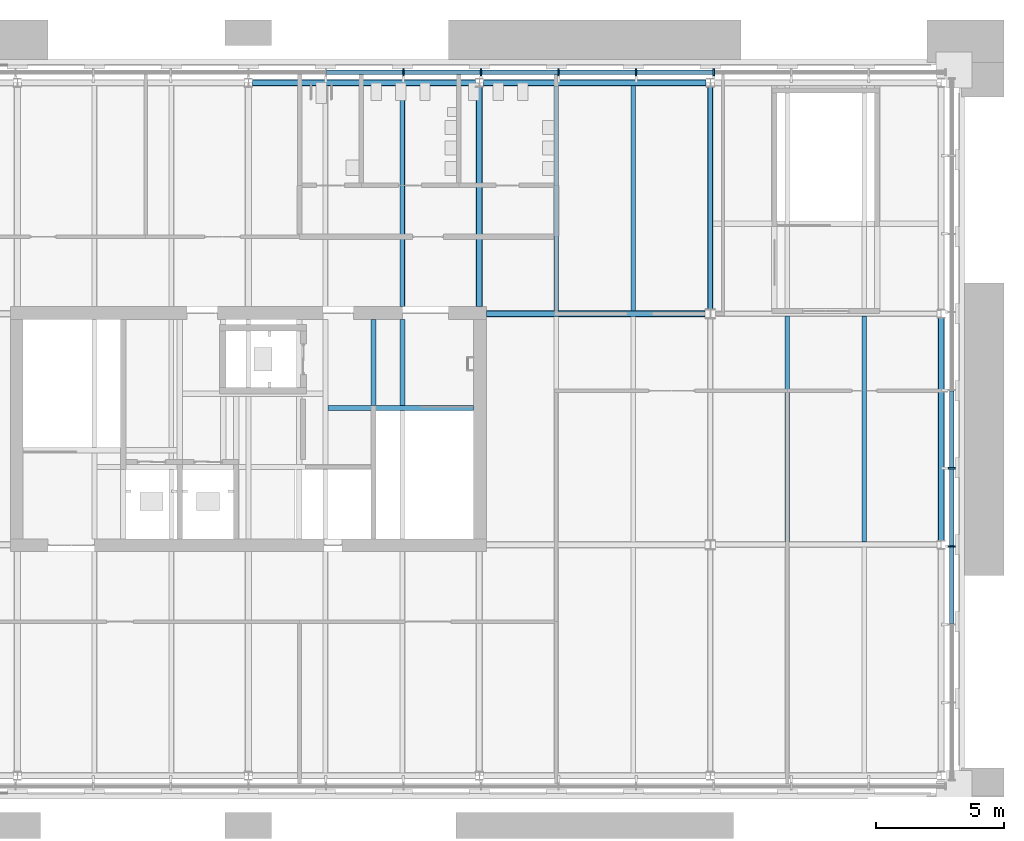
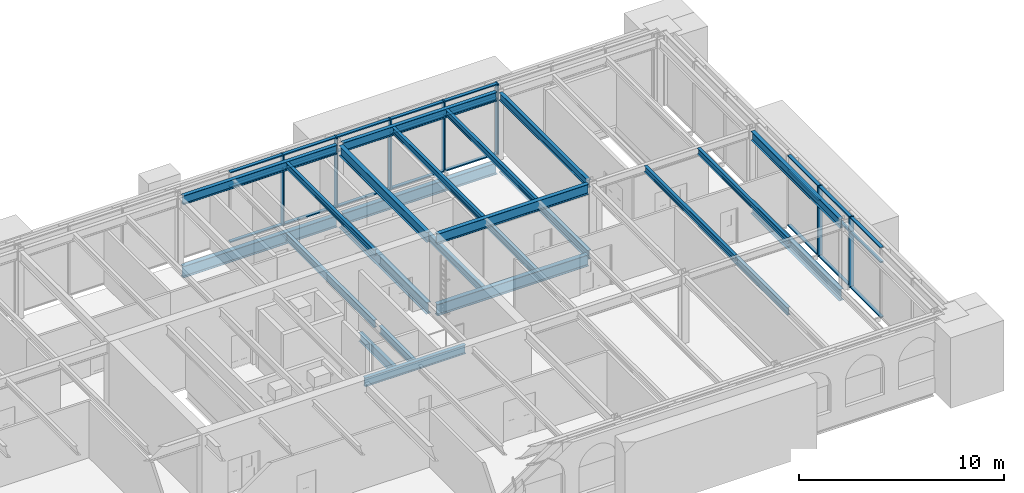
# One storey, part 8 of 24: 31 members, 24 beams, 2 elements without a shape of their own.
"""IFC4 building model written with IfcOpenShell, lengths in metres."""

from ifc_helpers import new_model, si_unit, direction, frame, origin, origin_2d, place, context, subcontext, project, spatial, rectangle, i_section, extrude, material, material_profile, profile_set, type_object, element, aggregate, save


model = new_model("IFC4")

# Units and contexts
model_context = context("Model", 3, precision=1e-05, world=origin(), true_north=direction((0.0, 1.0)))
body_context = subcontext(model_context, "Body", "Model", "MODEL_VIEW")
ifc_project = project(units=[si_unit("LENGTHUNIT", "METRE"), si_unit("AREAUNIT", "SQUARE_METRE"), si_unit("VOLUMEUNIT", "CUBIC_METRE"), si_unit("PLANEANGLEUNIT", "RADIAN"), si_unit("MASSUNIT", "GRAM", prefix="KILO")], contexts=[model_context])

# Site, building, storey
site_placement = place(None, origin())
site = spatial("IfcSite", under=ifc_project, at=site_placement, CompositionType="ELEMENT")
building_placement = place(site_placement, origin())
building = spatial("IfcBuilding", under=site, at=building_placement, Name="Baradari Gate Terminus", CompositionType="ELEMENT")
storey_placement = place(building_placement, frame((0.0, 0.0, 32.699951171875)))
storey = spatial("IfcBuildingStorey", under=building, at=storey_placement, Name="L07", CompositionType="ELEMENT", Elevation=32.699951171875)

# Beams
ifc_material_1 = material(Name="Steel S355", Category="steel")
ifc_material_profile_1 = material_profile(ifc_material_1, i_section(OverallWidth=0.19140625, OverallDepth=0.4599609375, WebThickness=0.010009765625, FlangeThickness=0.01611328125, FilletRadius=0.01025390625, at=origin_2d()), Name="UB 457x191x82")
ifc_profile_set_1 = profile_set([ifc_material_profile_1], Name="Steel S355")
beam_type_1 = type_object("IfcBeamType", Name="Core floor beam B23 UB 457x191x82", PredefinedType="BEAM", material=ifc_profile_set_1)
beam_1_placement = place(storey_placement, frame((42.0, 131.4296875, -0.35986328125), z_axis=(0.0, 1.0, 0.0), x_axis=(-1.0, 0.0, 0.0)))
element("IfcBeam", 1, at=beam_1_placement, inside=storey, type_object=beam_type_1, Name="Core floor beam B23 42:131.43-134.775 L07", PredefinedType="BEAM", context=body_context, shape_type="SweptSolid", body=[
    extrude(i_section(OverallWidth=0.19140625, OverallDepth=0.4599609375, WebThickness=0.010009765625, FlangeThickness=0.01611328125, FilletRadius=0.01025390625, at=origin_2d()), origin(), (0.0, 0.0, 1.0), 3.34521484375),
])
ifc_material_2 = material(Name="Steel S355", Category="steel")
ifc_material_profile_2 = material_profile(ifc_material_2, i_section(OverallWidth=0.209228515625, OverallDepth=0.533203125, WebThickness=0.010009765625, FlangeThickness=0.015625, FilletRadius=0.0126953125, at=origin_2d()), Name="UB 533x210x92")
ifc_profile_set_2 = profile_set([ifc_material_profile_2], Name="Steel S355")
beam_type_2 = type_object("IfcBeamType", Name="Core floor trimmer beam B22 UB 533x210x92", PredefinedType="BEAM", material=ifc_profile_set_2)
beam_2_placement = place(storey_placement, frame((39.095703125, 131.324951171875, -0.396484375), z_axis=(1.0, 0.0, 0.0), x_axis=(0.0, 1.0, 0.0)))
element("IfcBeam", 2, at=beam_2_placement, inside=storey, type_object=beam_type_2, Name="Core floor trimmer beam B22 131.325:39.096-44.775 L07", PredefinedType="BEAM", context=body_context, shape_type="SweptSolid", body=[
    extrude(i_section(OverallWidth=0.209228515625, OverallDepth=0.533203125, WebThickness=0.010009765625, FlangeThickness=0.015625, FilletRadius=0.0126953125, at=origin_2d()), origin(), (0.0, 0.0, 1.0), 5.67919921875),
])
beam_3_placement = place(storey_placement, frame((40.875, 131.4296875, -0.396484375), z_axis=(0.0, 1.0, 0.0), x_axis=(-1.0, 0.0, 0.0)))
element("IfcBeam", 3, at=beam_3_placement, inside=storey, type_object=beam_type_2, Name="Core floor trimmer beam B22 40.875:131.43-134.775 L07", PredefinedType="BEAM", context=body_context, shape_type="SweptSolid", body=[
    extrude(i_section(OverallWidth=0.209228515625, OverallDepth=0.533203125, WebThickness=0.010009765625, FlangeThickness=0.015625, FilletRadius=0.0126953125, at=origin_2d()), origin(), (0.0, 0.0, 1.0), 3.34521484375),
])

# Curtain wall, members
ifc_material_3 = material(Name="Aluminium 6063-T6", Category="aluminium")
curtain_wall_type = type_object("IfcCurtainWallType", Name="Curtain wall CW-12 block arcade floors, L06-L07", PredefinedType="NOTDEFINED", material=ifc_material_3)
curtain_wall_1_placement = place(storey_placement, origin())
curtain_wall_1 = element("IfcCurtainWall", 4, at=curtain_wall_1_placement, inside=storey, type_object=curtain_wall_type, Name="Curtain wall CW-12 Operations block E face L07", PredefinedType="NOTDEFINED")
ifc_material_4 = material(Name="Aluminium 6063-T6", Category="aluminium")
ifc_material_profile_3 = material_profile(ifc_material_4, rectangle(XDim=0.27490234375, YDim=0.06494140625, at=origin_2d()), Name="CM-12 65X275")
ifc_profile_set_3 = profile_set([ifc_material_profile_3], Name="Aluminium 6063-T6")
member_type_1 = type_object("IfcMemberType", Name="Curtain wall mullion CM-12 65x275", PredefinedType="MULLION", material=ifc_profile_set_3)
member_1_placement = place(storey_placement, frame((63.407470703125, 125.933349609375, 0.0), z_axis=(0.0, 0.0, 1.0), x_axis=(-1.0, 0.0, 0.0)))
member_1 = element("IfcMember", 5, at=member_1_placement, type_object=member_type_1, Name="CW-12 mullion 4", PredefinedType="MULLION", context=body_context, shape_type="SweptSolid", body=[
    extrude(rectangle(XDim=0.27490234375, YDim=0.06494140625, at=origin_2d()), origin(), (0.0, 0.0, 1.0), 4.199951171875),
])
member_2_placement = place(storey_placement, frame((63.407470703125, 128.977783203125, 0.0), z_axis=(0.0, 0.0, 1.0), x_axis=(-1.0, 0.0, 0.0)))
member_2 = element("IfcMember", 6, at=member_2_placement, type_object=member_type_1, Name="CW-12 mullion 5", PredefinedType="MULLION", context=body_context, shape_type="SweptSolid", body=[
    extrude(rectangle(XDim=0.27490234375, YDim=0.06494140625, at=origin_2d()), origin(), (0.0, 0.0, 1.0), 4.199951171875),
])

curtain_wall_2_placement = place(storey_placement, origin())
curtain_wall_2 = element("IfcCurtainWall", 7, at=curtain_wall_2_placement, inside=storey, type_object=curtain_wall_type, Name="Curtain wall CW-12 Operations block N face L07", PredefinedType="NOTDEFINED")
member_3_placement = place(storey_placement, frame((54.13330078125, 144.407470703125, 0.0), z_axis=(0.0, 0.0, 1.0), x_axis=(0.0, -1.0, 0.0)))
member_3 = element("IfcMember", 8, at=member_3_placement, type_object=member_type_1, Name="CW-12 mullion 4", PredefinedType="MULLION", context=body_context, shape_type="SweptSolid", body=[
    extrude(rectangle(XDim=0.27490234375, YDim=0.06494140625, at=origin_2d()), origin(), (0.0, 0.0, 1.0), 4.199951171875),
])
member_4_placement = place(storey_placement, frame((51.111083984375, 144.407470703125, 0.0), z_axis=(0.0, 0.0, 1.0), x_axis=(0.0, -1.0, 0.0)))
member_4 = element("IfcMember", 9, at=member_4_placement, type_object=member_type_1, Name="CW-12 mullion 5", PredefinedType="MULLION", context=body_context, shape_type="SweptSolid", body=[
    extrude(rectangle(XDim=0.27490234375, YDim=0.06494140625, at=origin_2d()), origin(), (0.0, 0.0, 1.0), 4.199951171875),
])
member_5_placement = place(storey_placement, frame((48.0888671875, 144.407470703125, 0.0), z_axis=(0.0, 0.0, 1.0), x_axis=(0.0, -1.0, 0.0)))
member_5 = element("IfcMember", 10, at=member_5_placement, type_object=member_type_1, Name="CW-12 mullion 6", PredefinedType="MULLION", context=body_context, shape_type="SweptSolid", body=[
    extrude(rectangle(XDim=0.27490234375, YDim=0.06494140625, at=origin_2d()), origin(), (0.0, 0.0, 1.0), 4.199951171875),
])
member_6_placement = place(storey_placement, frame((45.066650390625, 144.407470703125, 0.0), z_axis=(0.0, 0.0, 1.0), x_axis=(0.0, -1.0, 0.0)))
member_6 = element("IfcMember", 11, at=member_6_placement, type_object=member_type_1, Name="CW-12 mullion 7", PredefinedType="MULLION", context=body_context, shape_type="SweptSolid", body=[
    extrude(rectangle(XDim=0.27490234375, YDim=0.06494140625, at=origin_2d()), origin(), (0.0, 0.0, 1.0), 4.199951171875),
])
member_7_placement = place(storey_placement, frame((42.04443359375, 144.407470703125, 0.0), z_axis=(0.0, 0.0, 1.0), x_axis=(0.0, -1.0, 0.0)))
member_7 = element("IfcMember", 12, at=member_7_placement, type_object=member_type_1, Name="CW-12 mullion 8", PredefinedType="MULLION", context=body_context, shape_type="SweptSolid", body=[
    extrude(rectangle(XDim=0.27490234375, YDim=0.06494140625, at=origin_2d()), origin(), (0.0, 0.0, 1.0), 4.199951171875),
])

# Member
ifc_material_5 = material(Name="Aluminium 6063-T6", Category="aluminium")
ifc_material_profile_4 = material_profile(ifc_material_5, rectangle(XDim=0.18505859375, YDim=0.06494140625, at=origin_2d()), Name="CT-12 65X185")
ifc_profile_set_4 = profile_set([ifc_material_profile_4], Name="Aluminium 6063-T6")
member_type_2 = type_object("IfcMemberType", Name="Curtain wall transom CT-12 65x185", PredefinedType="USERDEFINED", material=ifc_profile_set_4)
member_8_placement = place(storey_placement, frame((63.407470703125, 122.92138671875, 0.032470703125), z_axis=(0.0, 1.0, 0.0), x_axis=(-1.0, 0.0, 0.0)))
member_8 = element("IfcMember", 13, at=member_8_placement, type_object=member_type_2, Name="CW-12 transom 3.1", ObjectType="TRANSOM", PredefinedType="USERDEFINED", context=body_context, shape_type="SweptSolid", body=[
    extrude(rectangle(XDim=0.18505859375, YDim=0.06494140625, at=origin_2d()), origin(), (0.0, 0.0, 1.0), 2.9794921875),
])

member_9_placement = place(storey_placement, frame((63.407470703125, 122.92138671875, 3.300048828125), z_axis=(0.0, 1.0, 0.0), x_axis=(-1.0, 0.0, 0.0)))
member_9 = element("IfcMember", 14, at=member_9_placement, type_object=member_type_2, Name="CW-12 transom 3.2", ObjectType="TRANSOM", PredefinedType="USERDEFINED", context=body_context, shape_type="SweptSolid", body=[
    extrude(rectangle(XDim=0.18505859375, YDim=0.06494140625, at=origin_2d()), origin(), (0.0, 0.0, 1.0), 2.9794921875),
])

member_10_placement = place(storey_placement, frame((63.407470703125, 122.92138671875, 4.16748046875), z_axis=(0.0, 1.0, 0.0), x_axis=(-1.0, 0.0, 0.0)))
member_10 = element("IfcMember", 15, at=member_10_placement, type_object=member_type_2, Name="CW-12 transom 3.3", ObjectType="TRANSOM", PredefinedType="USERDEFINED", context=body_context, shape_type="SweptSolid", body=[
    extrude(rectangle(XDim=0.18505859375, YDim=0.06494140625, at=origin_2d()), origin(), (0.0, 0.0, 1.0), 2.9794921875),
])

member_11_placement = place(storey_placement, frame((63.407470703125, 125.9658203125, 0.032470703125), z_axis=(0.0, 1.0, 0.0), x_axis=(-1.0, 0.0, 0.0)))
member_11 = element("IfcMember", 16, at=member_11_placement, type_object=member_type_2, Name="CW-12 transom 4.1", ObjectType="TRANSOM", PredefinedType="USERDEFINED", context=body_context, shape_type="SweptSolid", body=[
    extrude(rectangle(XDim=0.18505859375, YDim=0.06494140625, at=origin_2d()), origin(), (0.0, 0.0, 1.0), 2.9794921875),
])

member_12_placement = place(storey_placement, frame((63.407470703125, 125.9658203125, 3.300048828125), z_axis=(0.0, 1.0, 0.0), x_axis=(-1.0, 0.0, 0.0)))
member_12 = element("IfcMember", 17, at=member_12_placement, type_object=member_type_2, Name="CW-12 transom 4.2", ObjectType="TRANSOM", PredefinedType="USERDEFINED", context=body_context, shape_type="SweptSolid", body=[
    extrude(rectangle(XDim=0.18505859375, YDim=0.06494140625, at=origin_2d()), origin(), (0.0, 0.0, 1.0), 2.9794921875),
])

member_13_placement = place(storey_placement, frame((63.407470703125, 125.9658203125, 4.16748046875), z_axis=(0.0, 1.0, 0.0), x_axis=(-1.0, 0.0, 0.0)))
member_13 = element("IfcMember", 18, at=member_13_placement, type_object=member_type_2, Name="CW-12 transom 4.3", ObjectType="TRANSOM", PredefinedType="USERDEFINED", context=body_context, shape_type="SweptSolid", body=[
    extrude(rectangle(XDim=0.18505859375, YDim=0.06494140625, at=origin_2d()), origin(), (0.0, 0.0, 1.0), 2.9794921875),
])

member_14_placement = place(storey_placement, frame((63.407470703125, 129.01025390625, 0.032470703125), z_axis=(0.0, 1.0, 0.0), x_axis=(-1.0, 0.0, 0.0)))
member_14 = element("IfcMember", 19, at=member_14_placement, type_object=member_type_2, Name="CW-12 transom 5.1", ObjectType="TRANSOM", PredefinedType="USERDEFINED", context=body_context, shape_type="SweptSolid", body=[
    extrude(rectangle(XDim=0.18505859375, YDim=0.06494140625, at=origin_2d()), origin(), (0.0, 0.0, 1.0), 2.9794921875),
])

member_15_placement = place(storey_placement, frame((63.407470703125, 129.01025390625, 3.300048828125), z_axis=(0.0, 1.0, 0.0), x_axis=(-1.0, 0.0, 0.0)))
member_15 = element("IfcMember", 20, at=member_15_placement, type_object=member_type_2, Name="CW-12 transom 5.2", ObjectType="TRANSOM", PredefinedType="USERDEFINED", context=body_context, shape_type="SweptSolid", body=[
    extrude(rectangle(XDim=0.18505859375, YDim=0.06494140625, at=origin_2d()), origin(), (0.0, 0.0, 1.0), 2.9794921875),
])

member_16_placement = place(storey_placement, frame((63.407470703125, 129.01025390625, 4.16748046875), z_axis=(0.0, 1.0, 0.0), x_axis=(-1.0, 0.0, 0.0)))
member_16 = element("IfcMember", 21, at=member_16_placement, type_object=member_type_2, Name="CW-12 transom 5.3", ObjectType="TRANSOM", PredefinedType="USERDEFINED", context=body_context, shape_type="SweptSolid", body=[
    extrude(rectangle(XDim=0.18505859375, YDim=0.06494140625, at=origin_2d()), origin(), (0.0, 0.0, 1.0), 2.9794921875),
])

aggregate(curtain_wall_1, [member_1, member_2, member_8, member_9, member_10, member_11, member_12, member_13, member_14, member_15, member_16])

member_17_placement = place(storey_placement, frame((54.100830078125, 144.407470703125, 0.032470703125), z_axis=(-1.0, 0.0, 0.0), x_axis=(0.0, -1.0, 0.0)))
member_17 = element("IfcMember", 22, at=member_17_placement, type_object=member_type_2, Name="CW-12 transom 4.1", ObjectType="TRANSOM", PredefinedType="USERDEFINED", context=body_context, shape_type="SweptSolid", body=[
    extrude(rectangle(XDim=0.18505859375, YDim=0.06494140625, at=origin_2d()), origin(), (0.0, 0.0, 1.0), 2.957275390625),
])

member_18_placement = place(storey_placement, frame((54.100830078125, 144.407470703125, 3.300048828125), z_axis=(-1.0, 0.0, 0.0), x_axis=(0.0, -1.0, 0.0)))
member_18 = element("IfcMember", 23, at=member_18_placement, type_object=member_type_2, Name="CW-12 transom 4.2", ObjectType="TRANSOM", PredefinedType="USERDEFINED", context=body_context, shape_type="SweptSolid", body=[
    extrude(rectangle(XDim=0.18505859375, YDim=0.06494140625, at=origin_2d()), origin(), (0.0, 0.0, 1.0), 2.957275390625),
])

member_19_placement = place(storey_placement, frame((54.100830078125, 144.407470703125, 4.16748046875), z_axis=(-1.0, 0.0, 0.0), x_axis=(0.0, -1.0, 0.0)))
member_19 = element("IfcMember", 24, at=member_19_placement, type_object=member_type_2, Name="CW-12 transom 4.3", ObjectType="TRANSOM", PredefinedType="USERDEFINED", context=body_context, shape_type="SweptSolid", body=[
    extrude(rectangle(XDim=0.18505859375, YDim=0.06494140625, at=origin_2d()), origin(), (0.0, 0.0, 1.0), 2.957275390625),
])

member_20_placement = place(storey_placement, frame((51.07861328125, 144.407470703125, 0.032470703125), z_axis=(-1.0, 0.0, 0.0), x_axis=(0.0, -1.0, 0.0)))
member_20 = element("IfcMember", 25, at=member_20_placement, type_object=member_type_2, Name="CW-12 transom 5.1", ObjectType="TRANSOM", PredefinedType="USERDEFINED", context=body_context, shape_type="SweptSolid", body=[
    extrude(rectangle(XDim=0.18505859375, YDim=0.06494140625, at=origin_2d()), origin(), (0.0, 0.0, 1.0), 2.957275390625),
])

member_21_placement = place(storey_placement, frame((51.07861328125, 144.407470703125, 3.300048828125), z_axis=(-1.0, 0.0, 0.0), x_axis=(0.0, -1.0, 0.0)))
member_21 = element("IfcMember", 26, at=member_21_placement, type_object=member_type_2, Name="CW-12 transom 5.2", ObjectType="TRANSOM", PredefinedType="USERDEFINED", context=body_context, shape_type="SweptSolid", body=[
    extrude(rectangle(XDim=0.18505859375, YDim=0.06494140625, at=origin_2d()), origin(), (0.0, 0.0, 1.0), 2.957275390625),
])

member_22_placement = place(storey_placement, frame((51.07861328125, 144.407470703125, 4.16748046875), z_axis=(-1.0, 0.0, 0.0), x_axis=(0.0, -1.0, 0.0)))
member_22 = element("IfcMember", 27, at=member_22_placement, type_object=member_type_2, Name="CW-12 transom 5.3", ObjectType="TRANSOM", PredefinedType="USERDEFINED", context=body_context, shape_type="SweptSolid", body=[
    extrude(rectangle(XDim=0.18505859375, YDim=0.06494140625, at=origin_2d()), origin(), (0.0, 0.0, 1.0), 2.957275390625),
])

member_23_placement = place(storey_placement, frame((48.056396484375, 144.407470703125, 0.032470703125), z_axis=(-1.0, 0.0, 0.0), x_axis=(0.0, -1.0, 0.0)))
member_23 = element("IfcMember", 28, at=member_23_placement, type_object=member_type_2, Name="CW-12 transom 6.1", ObjectType="TRANSOM", PredefinedType="USERDEFINED", context=body_context, shape_type="SweptSolid", body=[
    extrude(rectangle(XDim=0.18505859375, YDim=0.06494140625, at=origin_2d()), origin(), (0.0, 0.0, 1.0), 2.957275390625),
])

member_24_placement = place(storey_placement, frame((48.056396484375, 144.407470703125, 3.300048828125), z_axis=(-1.0, 0.0, 0.0), x_axis=(0.0, -1.0, 0.0)))
member_24 = element("IfcMember", 29, at=member_24_placement, type_object=member_type_2, Name="CW-12 transom 6.2", ObjectType="TRANSOM", PredefinedType="USERDEFINED", context=body_context, shape_type="SweptSolid", body=[
    extrude(rectangle(XDim=0.18505859375, YDim=0.06494140625, at=origin_2d()), origin(), (0.0, 0.0, 1.0), 2.957275390625),
])

member_25_placement = place(storey_placement, frame((48.056396484375, 144.407470703125, 4.16748046875), z_axis=(-1.0, 0.0, 0.0), x_axis=(0.0, -1.0, 0.0)))
member_25 = element("IfcMember", 30, at=member_25_placement, type_object=member_type_2, Name="CW-12 transom 6.3", ObjectType="TRANSOM", PredefinedType="USERDEFINED", context=body_context, shape_type="SweptSolid", body=[
    extrude(rectangle(XDim=0.18505859375, YDim=0.06494140625, at=origin_2d()), origin(), (0.0, 0.0, 1.0), 2.957275390625),
])

member_26_placement = place(storey_placement, frame((45.0341796875, 144.407470703125, 0.032470703125), z_axis=(-1.0, 0.0, 0.0), x_axis=(0.0, -1.0, 0.0)))
member_26 = element("IfcMember", 31, at=member_26_placement, type_object=member_type_2, Name="CW-12 transom 7.1", ObjectType="TRANSOM", PredefinedType="USERDEFINED", context=body_context, shape_type="SweptSolid", body=[
    extrude(rectangle(XDim=0.18505859375, YDim=0.06494140625, at=origin_2d()), origin(), (0.0, 0.0, 1.0), 2.957275390625),
])

member_27_placement = place(storey_placement, frame((45.0341796875, 144.407470703125, 3.300048828125), z_axis=(-1.0, 0.0, 0.0), x_axis=(0.0, -1.0, 0.0)))
member_27 = element("IfcMember", 32, at=member_27_placement, type_object=member_type_2, Name="CW-12 transom 7.2", ObjectType="TRANSOM", PredefinedType="USERDEFINED", context=body_context, shape_type="SweptSolid", body=[
    extrude(rectangle(XDim=0.18505859375, YDim=0.06494140625, at=origin_2d()), origin(), (0.0, 0.0, 1.0), 2.957275390625),
])

member_28_placement = place(storey_placement, frame((45.0341796875, 144.407470703125, 4.16748046875), z_axis=(-1.0, 0.0, 0.0), x_axis=(0.0, -1.0, 0.0)))
member_28 = element("IfcMember", 33, at=member_28_placement, type_object=member_type_2, Name="CW-12 transom 7.3", ObjectType="TRANSOM", PredefinedType="USERDEFINED", context=body_context, shape_type="SweptSolid", body=[
    extrude(rectangle(XDim=0.18505859375, YDim=0.06494140625, at=origin_2d()), origin(), (0.0, 0.0, 1.0), 2.957275390625),
])

member_29_placement = place(storey_placement, frame((42.011962890625, 144.407470703125, 0.032470703125), z_axis=(-1.0, 0.0, 0.0), x_axis=(0.0, -1.0, 0.0)))
member_29 = element("IfcMember", 34, at=member_29_placement, type_object=member_type_2, Name="CW-12 transom 8.1", ObjectType="TRANSOM", PredefinedType="USERDEFINED", context=body_context, shape_type="SweptSolid", body=[
    extrude(rectangle(XDim=0.18505859375, YDim=0.06494140625, at=origin_2d()), origin(), (0.0, 0.0, 1.0), 2.957275390625),
])

member_30_placement = place(storey_placement, frame((42.011962890625, 144.407470703125, 3.300048828125), z_axis=(-1.0, 0.0, 0.0), x_axis=(0.0, -1.0, 0.0)))
member_30 = element("IfcMember", 35, at=member_30_placement, type_object=member_type_2, Name="CW-12 transom 8.2", ObjectType="TRANSOM", PredefinedType="USERDEFINED", context=body_context, shape_type="SweptSolid", body=[
    extrude(rectangle(XDim=0.18505859375, YDim=0.06494140625, at=origin_2d()), origin(), (0.0, 0.0, 1.0), 2.957275390625),
])

member_31_placement = place(storey_placement, frame((42.011962890625, 144.407470703125, 4.16748046875), z_axis=(-1.0, 0.0, 0.0), x_axis=(0.0, -1.0, 0.0)))
member_31 = element("IfcMember", 36, at=member_31_placement, type_object=member_type_2, Name="CW-12 transom 8.3", ObjectType="TRANSOM", PredefinedType="USERDEFINED", context=body_context, shape_type="SweptSolid", body=[
    extrude(rectangle(XDim=0.18505859375, YDim=0.06494140625, at=origin_2d()), origin(), (0.0, 0.0, 1.0), 2.957275390625),
])

aggregate(curtain_wall_2, [member_3, member_4, member_5, member_6, member_7, member_17, member_18, member_19, member_20, member_21, member_22, member_23, member_24, member_25, member_26, member_27, member_28, member_29, member_30, member_31])

# Beams
ifc_material_6 = material(Name="Steel S355", Category="steel")
ifc_material_profile_5 = material_profile(ifc_material_6, i_section(OverallWidth=0.25439453125, OverallDepth=0.6875, WebThickness=0.01318359375, FlangeThickness=0.02099609375, FilletRadius=0.01513671875, at=origin_2d()), Name="UB 686x254x152")
ifc_profile_set_5 = profile_set([ifc_material_profile_5], Name="Steel S355")
beam_type_3 = type_object("IfcBeamType", Name="Operations block coupling beam B26 UB 686x254x152", PredefinedType="BEAM", material=ifc_profile_set_5)
beam_4_placement = place(storey_placement, frame((45.27490234375, 135.0, -0.4736328125), z_axis=(1.0, 0.0, 0.0), x_axis=(0.0, 1.0, 0.0)))
element("IfcBeam", 37, at=beam_4_placement, inside=storey, type_object=beam_type_3, Name="Operations block coupling beam B26 R:45.275-53.803 L07", PredefinedType="BEAM", context=body_context, shape_type="SweptSolid", body=[
    extrude(i_section(OverallWidth=0.25439453125, OverallDepth=0.6875, WebThickness=0.01318359375, FlangeThickness=0.02099609375, FilletRadius=0.01513671875, at=origin_2d()), origin(), (0.0, 0.0, 1.0), 8.527587890625),
])
beam_5_placement = place(storey_placement, frame((45.0, 135.27490234375, -0.4736328125), z_axis=(0.0, 1.0, 0.0), x_axis=(-1.0, 0.0, 0.0)))
element("IfcBeam", 38, at=beam_5_placement, inside=storey, type_object=beam_type_3, Name="Operations block coupling beam B26 6:135.275-143.83 L07", PredefinedType="BEAM", context=body_context, shape_type="SweptSolid", body=[
    extrude(i_section(OverallWidth=0.25439453125, OverallDepth=0.6875, WebThickness=0.01318359375, FlangeThickness=0.02099609375, FilletRadius=0.01513671875, at=origin_2d()), origin(), (0.0, 0.0, 1.0), 8.55517578125),
])
ifc_material_7 = material(Name="Steel S355", Category="steel")
ifc_material_profile_6 = material_profile(ifc_material_7, i_section(OverallWidth=0.210693359375, OverallDepth=0.53955078125, WebThickness=0.01171875, FlangeThickness=0.018798828125, FilletRadius=0.0126953125, at=origin_2d()), Name="UB 533x210x109")
ifc_profile_set_6 = profile_set([ifc_material_profile_6], Name="Steel S355")
beam_type_4 = type_object("IfcBeamType", Name="Operations block girder B29 UB 533x210x109", PredefinedType="BEAM", material=ifc_profile_set_6)
beam_6_placement = place(storey_placement, frame((54.0, 135.1904296875, -0.399658203125), z_axis=(0.0, 1.0, 0.0), x_axis=(-1.0, 0.0, 0.0)))
element("IfcBeam", 39, at=beam_6_placement, inside=storey, type_object=beam_type_4, Name="Operations block girder B29 7:135.19-143.83 L07", PredefinedType="BEAM", context=body_context, shape_type="SweptSolid", body=[
    extrude(i_section(OverallWidth=0.210693359375, OverallDepth=0.53955078125, WebThickness=0.01171875, FlangeThickness=0.018798828125, FilletRadius=0.0126953125, at=origin_2d()), origin(), (0.0, 0.0, 1.0), 8.6396484375),
])
ifc_material_8 = material(Name="Steel S355", Category="steel")
ifc_material_profile_7 = material_profile(ifc_material_8, i_section(OverallWidth=0.25439453125, OverallDepth=0.6875, WebThickness=0.01318359375, FlangeThickness=0.02099609375, FilletRadius=0.01513671875, at=origin_2d()), Name="UB 686x254x152")
ifc_profile_set_7 = profile_set([ifc_material_profile_7], Name="Steel S355")
beam_type_5 = type_object("IfcBeamType", Name="Operations block moment frame beam B32 UB 686x254x152", PredefinedType="BEAM", material=ifc_profile_set_7)
for number, where, z_axis, x_axis, name in (
    (40, (36.1572265625, 144.0, -0.4736328125), (1.0, 0.0, 0.0), (0.0, 1.0, 0.0), "Operations block moment frame beam B32 S:36.157-44.843 L07"),
    (41, (45.1572265625, 144.0, -0.4736328125), (1.0, 0.0, 0.0), (0.0, 1.0, 0.0), "Operations block moment frame beam B32 S:45.157-53.843 L07"),
):
    element("IfcBeam", number, at=place(storey_placement, frame(where, z_axis=z_axis, x_axis=x_axis)), inside=storey, type_object=beam_type_5, Name=name, PredefinedType="BEAM", context=body_context, shape_type="SweptSolid", body=[
        extrude(i_section(OverallWidth=0.25439453125, OverallDepth=0.6875, WebThickness=0.01318359375, FlangeThickness=0.02099609375, FilletRadius=0.01513671875, at=origin_2d()), origin(), (0.0, 0.0, 1.0), 8.685546875),
    ])
beam_7_placement = place(storey_placement, frame((63.0, 126.169921875, -0.4736328125), z_axis=(0.0, 1.0, 0.0), x_axis=(-1.0, 0.0, 0.0)))
element("IfcBeam", 42, at=beam_7_placement, inside=storey, type_object=beam_type_5, Name="Operations block moment frame beam B32 8:126.17-134.83 L07", PredefinedType="BEAM", context=body_context, shape_type="SweptSolid", body=[
    extrude(i_section(OverallWidth=0.25439453125, OverallDepth=0.6875, WebThickness=0.01318359375, FlangeThickness=0.02099609375, FilletRadius=0.01513671875, at=origin_2d()), origin(), (0.0, 0.0, 1.0), 8.66015625),
])
ifc_material_9 = material(Name="Steel S355", Category="steel")
ifc_material_profile_8 = material_profile(ifc_material_9, i_section(OverallWidth=0.2275390625, OverallDepth=0.6025390625, WebThickness=0.010498046875, FlangeThickness=0.014892578125, FilletRadius=0.0126953125, at=origin_2d()), Name="UB 610x229x101")
ifc_profile_set_8 = profile_set([ifc_material_profile_8], Name="Steel S355")
beam_type_6 = type_object("IfcBeamType", Name="Operations block roof coupling beam B45 UB 610x229x101", PredefinedType="BEAM", material=ifc_profile_set_8)
beam_8_placement = place(storey_placement, frame((45.27490234375, 135.0, 3.748779296875), z_axis=(1.0, 0.0, 0.0), x_axis=(0.0, 1.0, 0.0)))
element("IfcBeam", 43, at=beam_8_placement, inside=storey, type_object=beam_type_6, Name="Operations block roof coupling beam B45 R:45.275-53.803 L07", PredefinedType="BEAM", context=body_context, shape_type="SweptSolid", body=[
    extrude(i_section(OverallWidth=0.2275390625, OverallDepth=0.6025390625, WebThickness=0.010498046875, FlangeThickness=0.014892578125, FilletRadius=0.0126953125, at=origin_2d()), origin(), (0.0, 0.0, 1.0), 8.527587890625),
])
beam_9_placement = place(storey_placement, frame((45.0, 135.27490234375, 3.748779296875), z_axis=(0.0, 1.0, 0.0), x_axis=(-1.0, 0.0, 0.0)))
element("IfcBeam", 44, at=beam_9_placement, inside=storey, type_object=beam_type_6, Name="Operations block roof coupling beam B45 6:135.275-143.83 L07", PredefinedType="BEAM", context=body_context, shape_type="SweptSolid", body=[
    extrude(i_section(OverallWidth=0.2275390625, OverallDepth=0.6025390625, WebThickness=0.010498046875, FlangeThickness=0.014892578125, FilletRadius=0.0126953125, at=origin_2d()), origin(), (0.0, 0.0, 1.0), 8.55517578125),
])
ifc_material_10 = material(Name="Steel S355", Category="steel")
ifc_material_profile_9 = material_profile(ifc_material_10, i_section(OverallWidth=0.209228515625, OverallDepth=0.533203125, WebThickness=0.010009765625, FlangeThickness=0.015625, FilletRadius=0.0126953125, at=origin_2d()), Name="UB 533x210x92")
ifc_profile_set_9 = profile_set([ifc_material_profile_9], Name="Steel S355")
beam_type_7 = type_object("IfcBeamType", Name="Operations block roof edge beam B43 UB 533x210x92", PredefinedType="BEAM", material=ifc_profile_set_9)
for number, where, z_axis, x_axis, name in (
    (45, (36.1572265625, 144.0, 3.783447265625), (1.0, 0.0, 0.0), (0.0, 1.0, 0.0), "Operations block roof edge beam B43 S:36.157-44.843 L07"),
    (46, (45.1572265625, 144.0, 3.783447265625), (1.0, 0.0, 0.0), (0.0, 1.0, 0.0), "Operations block roof edge beam B43 S:45.157-53.843 L07"),
):
    element("IfcBeam", number, at=place(storey_placement, frame(where, z_axis=z_axis, x_axis=x_axis)), inside=storey, type_object=beam_type_7, Name=name, PredefinedType="BEAM", context=body_context, shape_type="SweptSolid", body=[
        extrude(i_section(OverallWidth=0.209228515625, OverallDepth=0.533203125, WebThickness=0.010009765625, FlangeThickness=0.015625, FilletRadius=0.0126953125, at=origin_2d()), origin(), (0.0, 0.0, 1.0), 8.685546875),
    ])
beam_10_placement = place(storey_placement, frame((63.0, 126.169921875, 3.783447265625), z_axis=(0.0, 1.0, 0.0), x_axis=(-1.0, 0.0, 0.0)))
element("IfcBeam", 47, at=beam_10_placement, inside=storey, type_object=beam_type_7, Name="Operations block roof edge beam B43 8:126.17-134.83 L07", PredefinedType="BEAM", context=body_context, shape_type="SweptSolid", body=[
    extrude(i_section(OverallWidth=0.209228515625, OverallDepth=0.533203125, WebThickness=0.010009765625, FlangeThickness=0.015625, FilletRadius=0.0126953125, at=origin_2d()), origin(), (0.0, 0.0, 1.0), 8.66015625),
])
ifc_material_11 = material(Name="Steel S355", Category="steel")
ifc_material_profile_10 = material_profile(ifc_material_11, i_section(OverallWidth=0.19140625, OverallDepth=0.4599609375, WebThickness=0.010009765625, FlangeThickness=0.01611328125, FilletRadius=0.01025390625, at=origin_2d()), Name="UB 457x191x82")
ifc_profile_set_10 = profile_set([ifc_material_profile_10], Name="Steel S355")
beam_type_8 = type_object("IfcBeamType", Name="Operations block roof girder B44 UB 457x191x82", PredefinedType="BEAM", material=ifc_profile_set_10)
beam_11_placement = place(storey_placement, frame((54.0, 135.1904296875, 3.820068359375), z_axis=(0.0, 1.0, 0.0), x_axis=(-1.0, 0.0, 0.0)))
element("IfcBeam", 48, at=beam_11_placement, inside=storey, type_object=beam_type_8, Name="Operations block roof girder B44 7:135.19-143.83 L07", PredefinedType="BEAM", context=body_context, shape_type="SweptSolid", body=[
    extrude(i_section(OverallWidth=0.19140625, OverallDepth=0.4599609375, WebThickness=0.010009765625, FlangeThickness=0.01611328125, FilletRadius=0.01025390625, at=origin_2d()), origin(), (0.0, 0.0, 1.0), 8.6396484375),
])
ifc_material_12 = material(Name="Steel S355", Category="steel")
ifc_material_profile_11 = material_profile(ifc_material_12, i_section(OverallWidth=0.17138671875, OverallDepth=0.35498046875, WebThickness=0.00732421875, FlangeThickness=0.011474609375, FilletRadius=0.01025390625, at=origin_2d()), Name="UB 356x171x51")
ifc_profile_set_11 = profile_set([ifc_material_profile_11], Name="Steel S355")
beam_type_9 = type_object("IfcBeamType", Name="Operations block roof secondary beam B46 UB 356x171x51", PredefinedType="BEAM", material=ifc_profile_set_11)
beam_12_placement = place(storey_placement, frame((42.0, 135.27490234375, 3.87255859375), z_axis=(0.0, 1.0, 0.0), x_axis=(-1.0, 0.0, 0.0)))
element("IfcBeam", 49, at=beam_12_placement, inside=storey, type_object=beam_type_9, Name="Operations block roof secondary beam B46 42:135.275-143.895 L07", PredefinedType="BEAM", context=body_context, shape_type="SweptSolid", body=[
    extrude(i_section(OverallWidth=0.17138671875, OverallDepth=0.35498046875, WebThickness=0.00732421875, FlangeThickness=0.011474609375, FilletRadius=0.01025390625, at=origin_2d()), origin(), (0.0, 0.0, 1.0), 8.62060546875),
])
for number, where, z_axis, x_axis, name in (
    (50, (48.0, 135.11376953125, 3.87255859375), (0.0, 1.0, 0.0), (-1.0, 0.0, 0.0), "Operations block roof secondary beam B46 48:135.114-143.895 L07"),
    (51, (51.0, 135.11376953125, 3.87255859375), (0.0, 1.0, 0.0), (-1.0, 0.0, 0.0), "Operations block roof secondary beam B46 51:135.114-143.895 L07"),
):
    element("IfcBeam", number, at=place(storey_placement, frame(where, z_axis=z_axis, x_axis=x_axis)), inside=storey, type_object=beam_type_9, Name=name, PredefinedType="BEAM", context=body_context, shape_type="SweptSolid", body=[
        extrude(i_section(OverallWidth=0.17138671875, OverallDepth=0.35498046875, WebThickness=0.00732421875, FlangeThickness=0.011474609375, FilletRadius=0.01025390625, at=origin_2d()), origin(), (0.0, 0.0, 1.0), 8.78173828125),
    ])
for number, where, z_axis, x_axis, name in (
    (52, (57.0, 126.095703125, 3.87255859375), (0.0, 1.0, 0.0), (-1.0, 0.0, 0.0), "Operations block roof secondary beam B46 57:126.096-134.904 L07"),
    (53, (60.0, 126.095703125, 3.87255859375), (0.0, 1.0, 0.0), (-1.0, 0.0, 0.0), "Operations block roof secondary beam B46 60:126.096-134.904 L07"),
):
    element("IfcBeam", number, at=place(storey_placement, frame(where, z_axis=z_axis, x_axis=x_axis)), inside=storey, type_object=beam_type_9, Name=name, PredefinedType="BEAM", context=body_context, shape_type="SweptSolid", body=[
        extrude(i_section(OverallWidth=0.17138671875, OverallDepth=0.35498046875, WebThickness=0.00732421875, FlangeThickness=0.011474609375, FilletRadius=0.01025390625, at=origin_2d()), origin(), (0.0, 0.0, 1.0), 8.80859375),
    ])
ifc_material_13 = material(Name="Steel S355", Category="steel")
ifc_material_profile_12 = material_profile(ifc_material_13, i_section(OverallWidth=0.18994140625, OverallDepth=0.453369140625, WebThickness=0.008544921875, FlangeThickness=0.0126953125, FilletRadius=0.01025390625, at=origin_2d()), Name="UB 457x191x67")
ifc_profile_set_12 = profile_set([ifc_material_profile_12], Name="Steel S355")
beam_type_10 = type_object("IfcBeamType", Name="Operations block secondary beam B28 UB 457x191x67", PredefinedType="BEAM", material=ifc_profile_set_12)
beam_13_placement = place(storey_placement, frame((42.0, 135.27490234375, -0.356689453125), z_axis=(0.0, 1.0, 0.0), x_axis=(-1.0, 0.0, 0.0)))
element("IfcBeam", 54, at=beam_13_placement, inside=storey, type_object=beam_type_10, Name="Operations block secondary beam B28 42:135.275-143.873 L07", PredefinedType="BEAM", context=body_context, shape_type="SweptSolid", body=[
    extrude(i_section(OverallWidth=0.18994140625, OverallDepth=0.453369140625, WebThickness=0.008544921875, FlangeThickness=0.0126953125, FilletRadius=0.01025390625, at=origin_2d()), origin(), (0.0, 0.0, 1.0), 8.597900390625),
])
for number, where, z_axis, x_axis, name in (
    (55, (48.0, 135.127197265625, -0.356689453125), (0.0, 1.0, 0.0), (-1.0, 0.0, 0.0), "Operations block secondary beam B28 48:135.127-143.873 L07"),
    (56, (51.0, 135.127197265625, -0.356689453125), (0.0, 1.0, 0.0), (-1.0, 0.0, 0.0), "Operations block secondary beam B28 51:135.127-143.873 L07"),
):
    element("IfcBeam", number, at=place(storey_placement, frame(where, z_axis=z_axis, x_axis=x_axis)), inside=storey, type_object=beam_type_10, Name=name, PredefinedType="BEAM", context=body_context, shape_type="SweptSolid", body=[
        extrude(i_section(OverallWidth=0.18994140625, OverallDepth=0.453369140625, WebThickness=0.008544921875, FlangeThickness=0.0126953125, FilletRadius=0.01025390625, at=origin_2d()), origin(), (0.0, 0.0, 1.0), 8.74560546875),
    ])
beam_14_placement = place(storey_placement, frame((60.0, 126.114501953125, -0.356689453125), z_axis=(0.0, 1.0, 0.0), x_axis=(-1.0, 0.0, 0.0)))
element("IfcBeam", 57, at=beam_14_placement, inside=storey, type_object=beam_type_10, Name="Operations block secondary beam B28 60:126.115-134.886 L07", PredefinedType="BEAM", context=body_context, shape_type="SweptSolid", body=[
    extrude(i_section(OverallWidth=0.18994140625, OverallDepth=0.453369140625, WebThickness=0.008544921875, FlangeThickness=0.0126953125, FilletRadius=0.01025390625, at=origin_2d()), origin(), (0.0, 0.0, 1.0), 8.77099609375),
])

save(model, "model.ifc")
